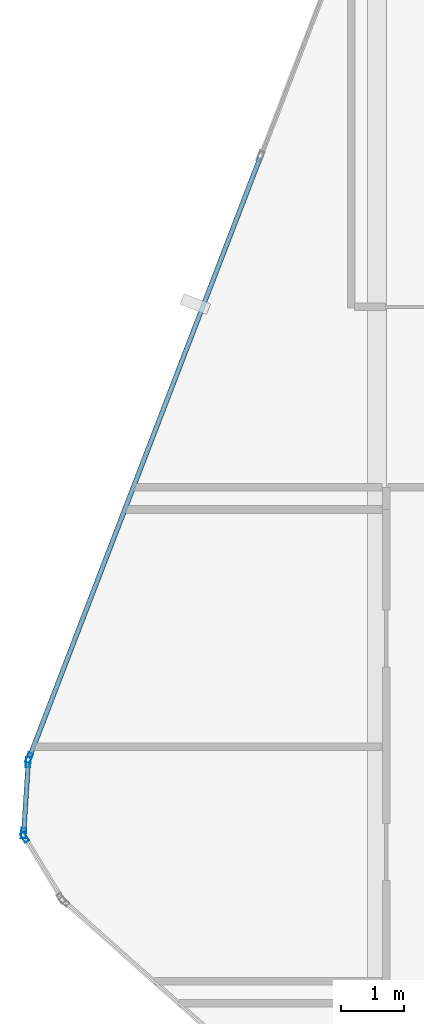
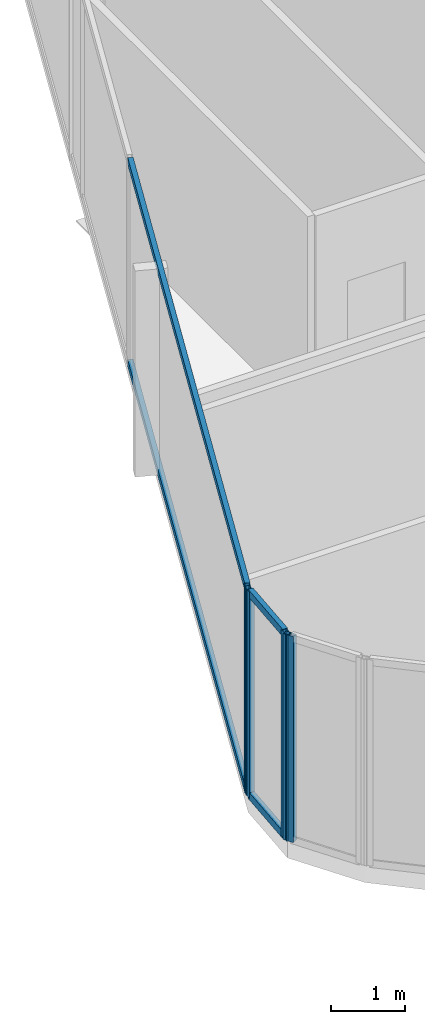
# One storey, part 8 of 27: 8 members, 3 elements without a shape of their own.
"""IFC4 building model written with IfcOpenShell, lengths in metres."""

from ifc_helpers import new_model, si_unit, direction, frame, origin, origin_2d, place, context, subcontext, project, spatial, hollow_rectangle, extrude, material, layer, layer_set, material_profile, profile_set, type_object, element, aggregate, save


model = new_model("IFC4")

# Units and contexts
model_context = context("Model", 3, precision=1e-05, world=origin(), true_north=direction((0.0, 1.0)))
body_context = subcontext(model_context, "Body", "Model", "MODEL_VIEW")
ifc_project = project(units=[si_unit("LENGTHUNIT", "METRE"), si_unit("AREAUNIT", "SQUARE_METRE"), si_unit("VOLUMEUNIT", "CUBIC_METRE"), si_unit("PLANEANGLEUNIT", "RADIAN"), si_unit("MASSUNIT", "GRAM", prefix="KILO")], contexts=[model_context])

# Site, building, storey
site_placement = place(None, origin())
site = spatial("IfcSite", under=ifc_project, at=site_placement, CompositionType="ELEMENT")
building_placement = place(site_placement, origin())
building = spatial("IfcBuilding", under=site, at=building_placement, Name="Keshet Zoharim Tower", CompositionType="ELEMENT")
storey_placement = place(building_placement, frame((0.0, 0.0, 288.0)))
storey = spatial("IfcBuildingStorey", under=building, at=storey_placement, Name="L72", CompositionType="ELEMENT", Elevation=288.0)

# Curtain wall, member
ifc_material = material(Name="Aluminium 6063-T6", Category="aluminium")
ifc_layer = layer(ifc_material, 0.260009765625)
ifc_layer_set = layer_set([ifc_layer], Name="Aluminium 6063-T6")
curtain_wall_type = type_object("IfcCurtainWallType", Name="CW-SYS-06", PredefinedType="NOTDEFINED", material=ifc_layer_set)
curtain_wall_1_placement = place(storey_placement, origin())
curtain_wall_1 = element("IfcCurtainWall", 1, at=curtain_wall_1_placement, inside=storey, type_object=curtain_wall_type, Name="L72 Unitised Curtain Wall 01", PredefinedType="NOTDEFINED")
ifc_material_profile_1 = material_profile(ifc_material, hollow_rectangle(XDim=0.074951171875, YDim=0.159912109375, WallThickness=0.00390625, at=origin_2d()), Name="MUL-75x160")
ifc_profile_set_1 = profile_set([ifc_material_profile_1], Name="Aluminium 6063-T6")
member_type_1 = type_object("IfcMemberType", Name="CWM-M15", PredefinedType="MULLION", material=ifc_profile_set_1)
member_1_placement = place(storey_placement, frame((3.43798828125, 22.77197265625, 0.0), z_axis=(0.0, 0.0, 1.0), x_axis=(-0.856826433805, -0.515604947933, 0.0)))
member_1 = element("IfcMember", 2, at=member_1_placement, type_object=member_type_1, Name="CW-06 mullion 2", PredefinedType="MULLION", context=body_context, shape_type="SweptSolid", body=[
    extrude(hollow_rectangle(XDim=0.074951171875, YDim=0.159912109375, WallThickness=0.00390625, at=origin_2d()), origin(), (0.0, 0.0, 1.0), 3.389892578125),
])
aggregate(curtain_wall_1, [member_1])

# Curtain wall, members
curtain_wall_2_placement = place(storey_placement, origin())
curtain_wall_2 = element("IfcCurtainWall", 3, at=curtain_wall_2_placement, inside=storey, type_object=curtain_wall_type, Name="L72 Unitised Curtain Wall 02", PredefinedType="NOTDEFINED")
member_2_placement = place(storey_placement, frame((3.42236328125, 22.8369140625, 0.0), z_axis=(0.0, 0.0, 1.0), x_axis=(-0.997916617186, 0.064516859374, 0.0)))
member_2 = element("IfcMember", 4, at=member_2_placement, type_object=member_type_1, Name="CW-06 mullion 1", PredefinedType="MULLION", context=body_context, shape_type="SweptSolid", body=[
    extrude(hollow_rectangle(XDim=0.074951171875, YDim=0.159912109375, WallThickness=0.00390625, at=origin_2d()), origin(), (0.0, 0.0, 1.0), 3.389892578125),
])
member_3_placement = place(storey_placement, frame((3.49462890625, 23.9580078125, 0.0), z_axis=(0.0, 0.0, 1.0), x_axis=(-0.997916617186, 0.064516859374, 0.0)))
member_3 = element("IfcMember", 5, at=member_3_placement, type_object=member_type_1, Name="CW-06 mullion 2", PredefinedType="MULLION", context=body_context, shape_type="SweptSolid", body=[
    extrude(hollow_rectangle(XDim=0.074951171875, YDim=0.159912109375, WallThickness=0.00390625, at=origin_2d()), origin(), (0.0, 0.0, 1.0), 3.389892578125),
])

# Curtain wall, member
curtain_wall_3_placement = place(storey_placement, origin())
curtain_wall_3 = element("IfcCurtainWall", 6, at=curtain_wall_3_placement, inside=storey, type_object=curtain_wall_type, Name="L72 Unitised Curtain Wall 03", PredefinedType="NOTDEFINED")
member_4_placement = place(storey_placement, frame((3.509521484375, 24.025634765625, 0.0), z_axis=(0.0, 0.0, 1.0), x_axis=(-0.933341404361, 0.358990003907, 0.0)))
member_4 = element("IfcMember", 7, at=member_4_placement, type_object=member_type_1, Name="CW-06 mullion 1", PredefinedType="MULLION", context=body_context, shape_type="SweptSolid", body=[
    extrude(hollow_rectangle(XDim=0.074951171875, YDim=0.159912109375, WallThickness=0.00390625, at=origin_2d()), origin(), (0.0, 0.0, 1.0), 3.389892578125),
])

# Member
ifc_material_profile_2 = material_profile(ifc_material, hollow_rectangle(XDim=0.074951171875, YDim=0.1201171875, WallThickness=0.00390625, at=origin_2d()), Name="TRN-75x120")
ifc_profile_set_2 = profile_set([ifc_material_profile_2], Name="Aluminium 6063-T6")
member_type_2 = type_object("IfcMemberType", Name="CWT-T12", PredefinedType="USERDEFINED", material=ifc_profile_set_2)
member_5_placement = place(storey_placement, frame((3.424560546875, 22.871826171875, 0.034912109375), z_axis=(0.064426947155, 0.997922426083, 0.0), x_axis=(-0.997922426083, 0.064426947155, 0.0)))
member_5 = element("IfcMember", 8, at=member_5_placement, type_object=member_type_2, Name="CW-06 transom 1.1", ObjectType="TRANSOM", PredefinedType="USERDEFINED", context=body_context, shape_type="SweptSolid", body=[
    extrude(hollow_rectangle(XDim=0.074951171875, YDim=0.1201171875, WallThickness=0.00390625, at=origin_2d()), origin(), (0.0, 0.0, 1.0), 1.053466796875),
])

member_6_placement = place(storey_placement, frame((3.424560546875, 22.871826171875, 3.35498046875), z_axis=(0.064426947155, 0.997922426083, 0.0), x_axis=(-0.997922426083, 0.064426947155, 0.0)))
member_6 = element("IfcMember", 9, at=member_6_placement, type_object=member_type_2, Name="CW-06 transom 1.2", ObjectType="TRANSOM", PredefinedType="USERDEFINED", context=body_context, shape_type="SweptSolid", body=[
    extrude(hollow_rectangle(XDim=0.074951171875, YDim=0.1201171875, WallThickness=0.00390625, at=origin_2d()), origin(), (0.0, 0.0, 1.0), 1.053466796875),
])

aggregate(curtain_wall_2, [member_2, member_3, member_5, member_6])

member_7_placement = place(storey_placement, frame((3.522216796875, 24.058349609375, 0.034912109375), z_axis=(0.358993631387, 0.93334000912, 0.0), x_axis=(-0.93334000912, 0.358993631387, 0.0)))
member_7 = element("IfcMember", 10, at=member_7_placement, type_object=member_type_2, Name="CW-06 transom 1.1", ObjectType="TRANSOM", PredefinedType="USERDEFINED", context=body_context, shape_type="SweptSolid", body=[
    extrude(hollow_rectangle(XDim=0.074951171875, YDim=0.1201171875, WallThickness=0.00390625, at=origin_2d()), origin(), (0.0, 0.0, 1.0), 10.1181640625),
])

member_8_placement = place(storey_placement, frame((3.522216796875, 24.058349609375, 3.35498046875), z_axis=(0.358993631387, 0.93334000912, 0.0), x_axis=(-0.93334000912, 0.358993631387, 0.0)))
member_8 = element("IfcMember", 11, at=member_8_placement, type_object=member_type_2, Name="CW-06 transom 1.2", ObjectType="TRANSOM", PredefinedType="USERDEFINED", context=body_context, shape_type="SweptSolid", body=[
    extrude(hollow_rectangle(XDim=0.074951171875, YDim=0.1201171875, WallThickness=0.00390625, at=origin_2d()), origin(), (0.0, 0.0, 1.0), 10.1181640625),
])

aggregate(curtain_wall_3, [member_4, member_7, member_8])

save(model, "model.ifc")
